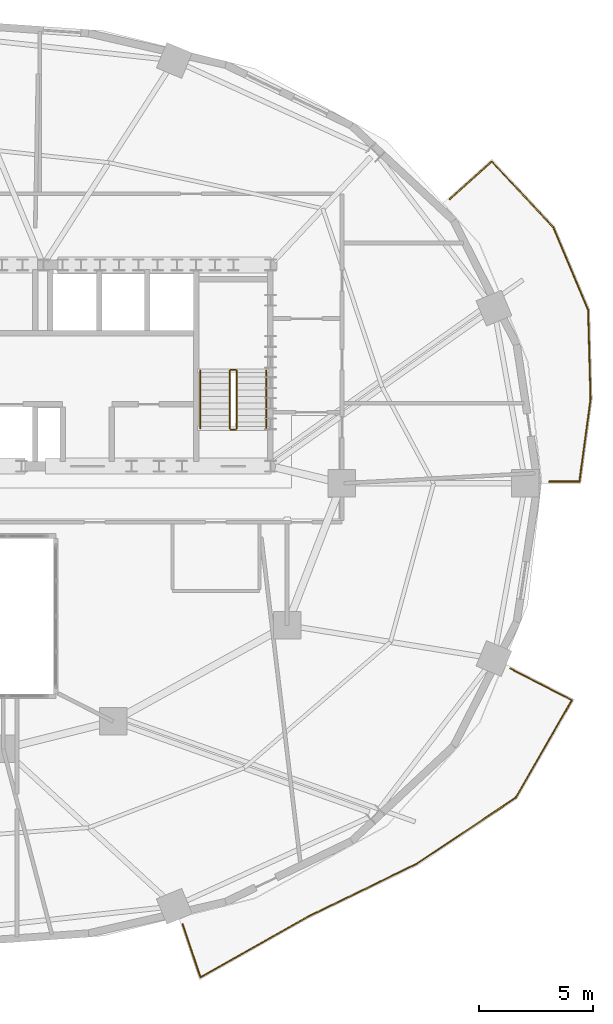
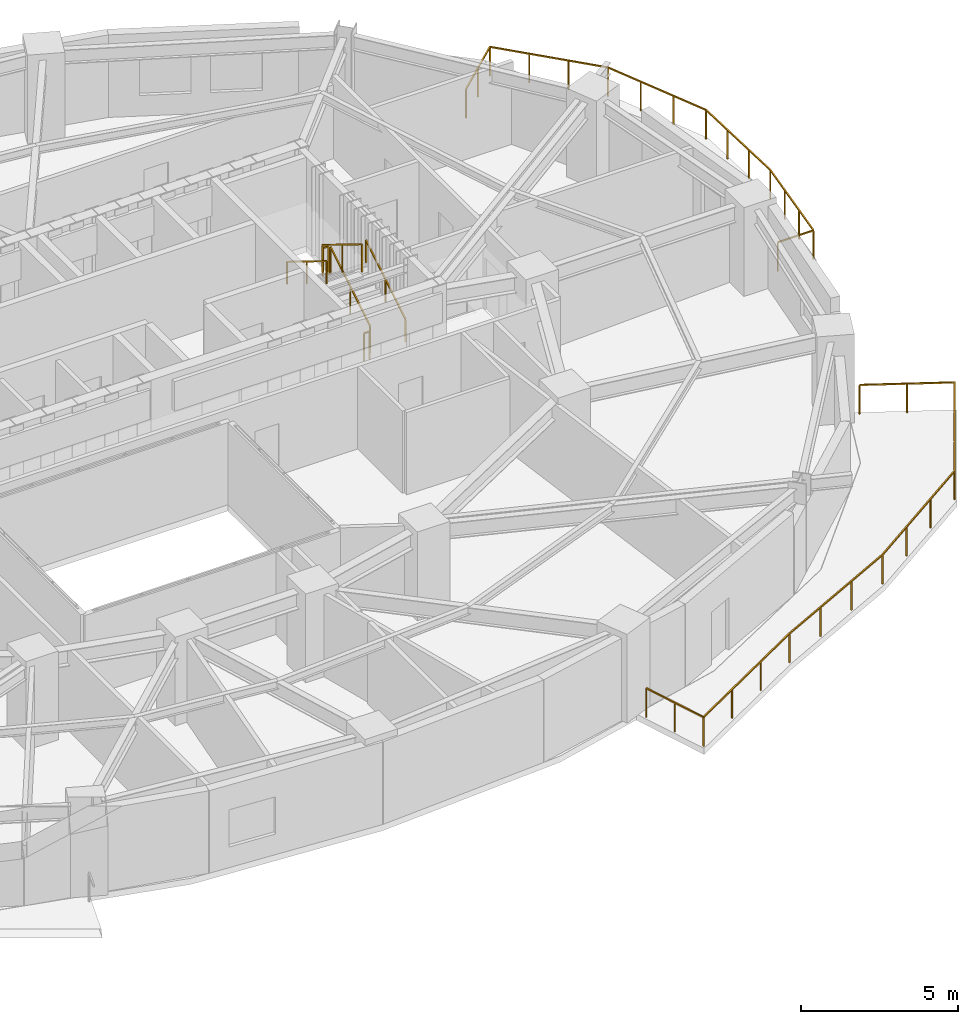
# One storey, part 11 of 11: 8 railings.
"""IFC4 building model written with IfcOpenShell, lengths in metres."""

from ifc_helpers import new_model, si_unit, direction, frame, origin, origin_2d, place, context, subcontext, project, spatial, rectangle, extrude, material, type_object, element, save


model = new_model("IFC4")

# Units and contexts
model_context = context("Model", 3, precision=1e-05, world=origin(), true_north=direction((0.0, 1.0)))
body_context = subcontext(model_context, "Body", "Model", "MODEL_VIEW")
ifc_project = project(units=[si_unit("LENGTHUNIT", "METRE"), si_unit("AREAUNIT", "SQUARE_METRE"), si_unit("VOLUMEUNIT", "CUBIC_METRE"), si_unit("PLANEANGLEUNIT", "RADIAN"), si_unit("MASSUNIT", "GRAM", prefix="KILO")], contexts=[model_context])

# Site, building, storey
site_placement = place(None, origin())
site = spatial("IfcSite", under=ifc_project, at=site_placement, CompositionType="ELEMENT")
building_placement = place(site_placement, origin())
building = spatial("IfcBuilding", under=site, at=building_placement, Name="Haldorwick Loom Tower", CompositionType="ELEMENT")
storey_placement = place(building_placement, frame((0.0, 0.0, 164.800048828125)))
storey = spatial("IfcBuildingStorey", under=building, at=storey_placement, Name="L44", CompositionType="ELEMENT", Elevation=164.800048828125)

# Railings
ifc_material_1 = material(Name="Galvanized Steel CSA G40.21 350W", Category="steel")
railing_type_1 = type_object("IfcRailingType", Name="ARC-RLG-BAL115", PredefinedType="BALUSTRADE", material=ifc_material_1)
railing_1_placement = place(storey_placement, frame((60.552734375, 17.91259765625, 0.0)))
element("IfcRailing", 1, at=railing_1_placement, inside=storey, type_object=railing_type_1, Name="L44 Outdoor Terrace Guardrail SLB-L44-BAL_SE-1", PredefinedType="BALUSTRADE", context=body_context, shape_type="SweptSolid", body=[
    extrude(rectangle(XDim=0.048095703125, YDim=0.048095703125, at=origin_2d()), frame((0.0, 0.0, 1.1259765625), z_axis=(0.88849659396, -0.45888321229, 0.0), x_axis=(0.45888321229, 0.88849659396, 0.0)), (0.0, 0.0, 1.0), 3.02783203125),
    extrude(rectangle(XDim=0.048095703125, YDim=0.048095703125, at=origin_2d()), frame((2.690185546875, -1.389404296875, 1.1259765625), z_axis=(-0.499653669952, -0.866225265219, 0.0), x_axis=(0.866225265219, -0.499653669952, 0.0)), (0.0, 0.0, 1.0), 4.91650390625),
    extrude(rectangle(XDim=0.048095703125, YDim=0.048095703125, at=origin_2d()), frame((0.233642578125, -5.648193359375, 1.1259765625), z_axis=(-0.831587514247, -0.555393739746, 0.0), x_axis=(0.555393739746, -0.831587514247, 0.0)), (0.0, 0.0, 1.0), 5.197509765625),
    extrude(rectangle(XDim=0.048095703125, YDim=0.048095703125, at=origin_2d()), frame((-4.088623046875, -8.534912109375, 1.1259765625), z_axis=(-0.899741530377, -0.436423164503, 0.0), x_axis=(0.436423164503, -0.899741530377, 0.0)), (0.0, 0.0, 1.0), 5.283203125),
    extrude(rectangle(XDim=0.048095703125, YDim=0.048095703125, at=origin_2d()), frame((-8.842041015625, -10.840576171875, 1.1259765625), z_axis=(-0.884918222382, -0.465746432833, 0.0), x_axis=(0.465746432833, -0.884918222382, 0.0)), (0.0, 0.0, 1.0), 0.005126953125),
    extrude(rectangle(XDim=0.048095703125, YDim=0.048095703125, at=origin_2d()), frame((-8.8466796875, -10.843017578125, 1.1259765625), z_axis=(-0.870535813637, -0.492105067212, 0.0), x_axis=(0.492105067212, -0.870535813637, 0.0)), (0.0, 0.0, 1.0), 5.38427734375),
    extrude(rectangle(XDim=0.048095703125, YDim=0.048095703125, at=origin_2d()), frame((-13.533935546875, -13.49267578125, 1.1259765625), z_axis=(-0.318031914644, 0.948080007841, 0.0), x_axis=(-0.948080007841, -0.318031914644, 0.0)), (0.0, 0.0, 1.0), 2.43505859375),
    extrude(rectangle(XDim=0.0419921875, YDim=0.0419921875, at=origin_2d()), origin(), (0.0, 0.0, 1.0), 1.101806640625),
    extrude(rectangle(XDim=0.0419921875, YDim=0.0419921875, at=origin_2d()), frame((1.34521484375, -0.69482421875, 0.0)), (0.0, 0.0, 1.0), 1.101806640625),
    extrude(rectangle(XDim=0.0419921875, YDim=0.0419921875, at=origin_2d()), frame((2.690185546875, -1.389404296875, 0.0)), (0.0, 0.0, 1.0), 1.101806640625),
    extrude(rectangle(XDim=0.0419921875, YDim=0.0419921875, at=origin_2d()), frame((1.871337890625, -2.80908203125, 0.0)), (0.0, 0.0, 1.0), 1.101806640625),
    extrude(rectangle(XDim=0.0419921875, YDim=0.0419921875, at=origin_2d()), frame((1.052490234375, -4.228515625, 0.0)), (0.0, 0.0, 1.0), 1.101806640625),
    extrude(rectangle(XDim=0.0419921875, YDim=0.0419921875, at=origin_2d()), frame((0.233642578125, -5.648193359375, 0.0)), (0.0, 0.0, 1.0), 1.101806640625),
    extrude(rectangle(XDim=0.0419921875, YDim=0.0419921875, at=origin_2d()), frame((-1.20703125, -6.6103515625, 0.0)), (0.0, 0.0, 1.0), 1.101806640625),
    extrude(rectangle(XDim=0.0419921875, YDim=0.0419921875, at=origin_2d()), frame((-2.64794921875, -7.57275390625, 0.0)), (0.0, 0.0, 1.0), 1.101806640625),
    extrude(rectangle(XDim=0.0419921875, YDim=0.0419921875, at=origin_2d()), frame((-4.088623046875, -8.534912109375, 0.0)), (0.0, 0.0, 1.0), 1.101806640625),
    extrude(rectangle(XDim=0.0419921875, YDim=0.0419921875, at=origin_2d()), frame((-5.673095703125, -9.303466796875, 0.0)), (0.0, 0.0, 1.0), 1.101806640625),
    extrude(rectangle(XDim=0.0419921875, YDim=0.0419921875, at=origin_2d()), frame((-7.257568359375, -10.072021484375, 0.0)), (0.0, 0.0, 1.0), 1.101806640625),
    extrude(rectangle(XDim=0.0419921875, YDim=0.0419921875, at=origin_2d()), frame((-8.842041015625, -10.840576171875, 0.0)), (0.0, 0.0, 1.0), 1.101806640625),
    extrude(rectangle(XDim=0.0419921875, YDim=0.0419921875, at=origin_2d()), frame((-10.4091796875, -11.726318359375, 0.0)), (0.0, 0.0, 1.0), 1.101806640625),
    extrude(rectangle(XDim=0.0419921875, YDim=0.0419921875, at=origin_2d()), frame((-11.971435546875, -12.609375, 0.0)), (0.0, 0.0, 1.0), 1.101806640625),
    extrude(rectangle(XDim=0.0419921875, YDim=0.0419921875, at=origin_2d()), frame((-13.533935546875, -13.49267578125, 0.0)), (0.0, 0.0, 1.0), 1.101806640625),
    extrude(rectangle(XDim=0.0419921875, YDim=0.0419921875, at=origin_2d()), frame((-13.921142578125, -12.33837890625, 0.0)), (0.0, 0.0, 1.0), 1.101806640625),
    extrude(rectangle(XDim=0.0419921875, YDim=0.0419921875, at=origin_2d()), frame((-14.308349609375, -11.18408203125, 0.0)), (0.0, 0.0, 1.0), 1.101806640625),
])
railing_2_placement = place(storey_placement, frame((57.912353515625, 38.41748046875, 0.0)))
element("IfcRailing", 2, at=railing_2_placement, inside=storey, type_object=railing_type_1, Name="L44 Outdoor Terrace Guardrail SLB-L44-BAL_ENE-1", PredefinedType="BALUSTRADE", context=body_context, shape_type="SweptSolid", body=[
    extrude(rectangle(XDim=0.048095703125, YDim=0.048095703125, at=origin_2d()), frame((0.0, 0.0, 1.1259765625), z_axis=(0.74343228508, 0.668811212152, 0.0), x_axis=(-0.668811212152, 0.74343228508, 0.0)), (0.0, 0.0, 1.0), 2.46044921875),
    extrude(rectangle(XDim=0.048095703125, YDim=0.048095703125, at=origin_2d()), frame((1.8291015625, 1.6455078125, 1.1259765625), z_axis=(0.683138961253, -0.73028840852, 0.0), x_axis=(0.73028840852, 0.683138961253, 0.0)), (0.0, 0.0, 1.0), 3.93017578125),
    extrude(rectangle(XDim=0.048095703125, YDim=0.048095703125, at=origin_2d()), frame((4.513916015625, -1.224609375, 1.1259765625), z_axis=(0.389591209707, -0.920987887716, 0.0), x_axis=(0.920987887716, 0.389591209707, 0.0)), (0.0, 0.0, 1.0), 3.91845703125),
    extrude(rectangle(XDim=0.048095703125, YDim=0.048095703125, at=origin_2d()), frame((6.04052734375, -4.83349609375, 1.1259765625), z_axis=(0.0273664576, -0.999625468362, 0.0), x_axis=(0.999625468362, 0.0273664576, 0.0)), (0.0, 0.0, 1.0), 3.907470703125),
    extrude(rectangle(XDim=0.048095703125, YDim=0.048095703125, at=origin_2d()), frame((6.1474609375, -8.739501953125, 1.1259765625), z_axis=(-0.133951807797, -0.990987847144, 0.0), x_axis=(0.990987847144, -0.133951807797, 0.0)), (0.0, 0.0, 1.0), 3.630615234375),
    extrude(rectangle(XDim=0.048095703125, YDim=0.048095703125, at=origin_2d()), frame((5.6611328125, -12.33740234375, 1.1259765625), z_axis=(-1.0, 0.0, 0.0), x_axis=(0.0, -1.0, 0.0)), (0.0, 0.0, 1.0), 1.313232421875),
    extrude(rectangle(XDim=0.0419921875, YDim=0.0419921875, at=origin_2d()), origin(), (0.0, 0.0, 1.0), 1.101806640625),
    extrude(rectangle(XDim=0.0419921875, YDim=0.0419921875, at=origin_2d()), frame((0.91455078125, 0.82275390625, 0.0)), (0.0, 0.0, 1.0), 1.101806640625),
    extrude(rectangle(XDim=0.0419921875, YDim=0.0419921875, at=origin_2d()), frame((1.8291015625, 1.6455078125, 0.0)), (0.0, 0.0, 1.0), 1.101806640625),
    extrude(rectangle(XDim=0.0419921875, YDim=0.0419921875, at=origin_2d()), frame((2.72412109375, 0.688720703125, 0.0)), (0.0, 0.0, 1.0), 1.101806640625),
    extrude(rectangle(XDim=0.0419921875, YDim=0.0419921875, at=origin_2d()), frame((3.618896484375, -0.267822265625, 0.0)), (0.0, 0.0, 1.0), 1.101806640625),
    extrude(rectangle(XDim=0.0419921875, YDim=0.0419921875, at=origin_2d()), frame((4.513916015625, -1.224609375, 0.0)), (0.0, 0.0, 1.0), 1.101806640625),
    extrude(rectangle(XDim=0.0419921875, YDim=0.0419921875, at=origin_2d()), frame((5.022705078125, -2.427490234375, 0.0)), (0.0, 0.0, 1.0), 1.101806640625),
    extrude(rectangle(XDim=0.0419921875, YDim=0.0419921875, at=origin_2d()), frame((5.53173828125, -3.630615234375, 0.0)), (0.0, 0.0, 1.0), 1.101806640625),
    extrude(rectangle(XDim=0.0419921875, YDim=0.0419921875, at=origin_2d()), frame((6.04052734375, -4.83349609375, 0.0)), (0.0, 0.0, 1.0), 1.101806640625),
    extrude(rectangle(XDim=0.0419921875, YDim=0.0419921875, at=origin_2d()), frame((6.076171875, -6.135498046875, 0.0)), (0.0, 0.0, 1.0), 1.101806640625),
    extrude(rectangle(XDim=0.0419921875, YDim=0.0419921875, at=origin_2d()), frame((6.11181640625, -7.4375, 0.0)), (0.0, 0.0, 1.0), 1.101806640625),
    extrude(rectangle(XDim=0.0419921875, YDim=0.0419921875, at=origin_2d()), frame((6.1474609375, -8.739501953125, 0.0)), (0.0, 0.0, 1.0), 1.101806640625),
    extrude(rectangle(XDim=0.0419921875, YDim=0.0419921875, at=origin_2d()), frame((5.9853515625, -9.938720703125, 0.0)), (0.0, 0.0, 1.0), 1.101806640625),
    extrude(rectangle(XDim=0.0419921875, YDim=0.0419921875, at=origin_2d()), frame((5.8232421875, -11.13818359375, 0.0)), (0.0, 0.0, 1.0), 1.101806640625),
    extrude(rectangle(XDim=0.0419921875, YDim=0.0419921875, at=origin_2d()), frame((5.6611328125, -12.33740234375, 0.0)), (0.0, 0.0, 1.0), 1.101806640625),
    extrude(rectangle(XDim=0.0419921875, YDim=0.0419921875, at=origin_2d()), frame((4.347900390625, -12.33740234375, 0.0)), (0.0, 0.0, 1.0), 1.101806640625),
])
ifc_material_2 = material(Name="Steel CSA G40.21 350W", Category="steel")
railing_type_2 = type_object("IfcRailingType", Name="ARC-RLG-GUARD112", PredefinedType="GUARDRAIL", material=ifc_material_2)
railing_3_placement = place(storey_placement, frame((48.60009765625, 28.39990234375, 0.17236328125)))
element("IfcRailing", 3, at=railing_3_placement, inside=storey, type_object=railing_type_2, Name="L44 ST-02 stair guard 1", PredefinedType="GUARDRAIL", context=body_context, shape_type="SweptSolid", body=[
    extrude(rectangle(XDim=0.048095703125, YDim=0.048095703125, at=origin_2d()), frame((0.0, 0.0, 1.076171875), z_axis=(0.0, 0.851400495292, 0.524516154772), x_axis=(-1.0, 0.0, 0.0)), (0.0, 0.0, 1.0), 2.9599609375),
    extrude(rectangle(XDim=0.0419921875, YDim=0.0419921875, at=origin_2d()), origin(), (0.0, 0.0, 1.0), 1.052001953125),
    extrude(rectangle(XDim=0.0419921875, YDim=0.0419921875, at=origin_2d()), frame((0.0, 1.260009765625, 0.7763671875)), (0.0, 0.0, 1.0), 1.052001953125),
    extrude(rectangle(XDim=0.0419921875, YDim=0.0419921875, at=origin_2d()), frame((0.0, 2.52001953125, 1.552490234375)), (0.0, 0.0, 1.0), 1.052001953125),
])
railing_4_placement = place(storey_placement, frame((48.550048828125, 30.969970703125, 1.724853515625)))
element("IfcRailing", 4, at=railing_4_placement, inside=storey, type_object=railing_type_2, Name="L44 ST-02 stair guard 2", PredefinedType="GUARDRAIL", context=body_context, shape_type="SweptSolid", body=[
    extrude(rectangle(XDim=0.048095703125, YDim=0.048095703125, at=origin_2d()), frame((0.0, 0.0, 1.076171875), z_axis=(-1.0, 0.0, 0.0), x_axis=(0.0, -1.0, 0.0)), (0.0, 0.0, 1.0), 0.199951171875),
    extrude(rectangle(XDim=0.0419921875, YDim=0.0419921875, at=origin_2d()), origin(), (0.0, 0.0, 1.0), 1.052001953125),
    extrude(rectangle(XDim=0.0419921875, YDim=0.0419921875, at=origin_2d()), frame((-0.199951171875, 0.0, 0.0)), (0.0, 0.0, 1.0), 1.052001953125),
])
railing_5_placement = place(storey_placement, frame((48.300048828125, 30.919921875, 1.8974609375)))
element("IfcRailing", 5, at=railing_5_placement, inside=storey, type_object=railing_type_2, Name="L44 ST-02 stair guard 3", PredefinedType="GUARDRAIL", context=body_context, shape_type="SweptSolid", body=[
    extrude(rectangle(XDim=0.048095703125, YDim=0.048095703125, at=origin_2d()), frame((0.0, 0.0, 1.076171875), z_axis=(0.0, -0.851400495292, 0.524516154772), x_axis=(1.0, 0.0, 0.0)), (0.0, 0.0, 1.0), 2.9599609375),
    extrude(rectangle(XDim=0.0419921875, YDim=0.0419921875, at=origin_2d()), origin(), (0.0, 0.0, 1.0), 1.052001953125),
    extrude(rectangle(XDim=0.0419921875, YDim=0.0419921875, at=origin_2d()), frame((0.0, -1.260009765625, 0.7763671875)), (0.0, 0.0, 1.0), 1.052001953125),
    extrude(rectangle(XDim=0.0419921875, YDim=0.0419921875, at=origin_2d()), frame((0.0, -2.52001953125, 1.552490234375)), (0.0, 0.0, 1.0), 1.052001953125),
])
railing_6_placement = place(storey_placement, frame((48.550048828125, 28.35009765625, 0.0)))
element("IfcRailing", 6, at=railing_6_placement, inside=storey, type_object=railing_type_2, Name="L44 ST-02 stair guard 4", PredefinedType="GUARDRAIL", context=body_context, shape_type="SweptSolid", body=[
    extrude(rectangle(XDim=0.048095703125, YDim=0.048095703125, at=origin_2d()), frame((0.0, 0.0, 1.076171875), z_axis=(-1.0, 0.0, 0.0), x_axis=(0.0, -1.0, 0.0)), (0.0, 0.0, 1.0), 0.199951171875),
    extrude(rectangle(XDim=0.0419921875, YDim=0.0419921875, at=origin_2d()), origin(), (0.0, 0.0, 1.0), 1.052001953125),
    extrude(rectangle(XDim=0.0419921875, YDim=0.0419921875, at=origin_2d()), frame((-0.199951171875, 0.0, 0.0)), (0.0, 0.0, 1.0), 1.052001953125),
])
railing_type_3 = type_object("IfcRailingType", Name="ARC-RLG-HAND092", PredefinedType="HANDRAIL", material=ifc_material_2)
railing_7_placement = place(storey_placement, frame((49.89990234375, 28.39990234375, 0.17236328125)))
element("IfcRailing", 7, at=railing_7_placement, inside=storey, type_object=railing_type_3, Name="L44 ST-02 stair handrail 1", PredefinedType="HANDRAIL", context=body_context, shape_type="SweptSolid", body=[
    extrude(rectangle(XDim=0.048095703125, YDim=0.048095703125, at=origin_2d()), frame((0.0, 0.0, 0.8759765625), z_axis=(0.0, 0.851400495292, 0.524516154772), x_axis=(-1.0, 0.0, 0.0)), (0.0, 0.0, 1.0), 2.9599609375),
    extrude(rectangle(XDim=0.0419921875, YDim=0.0419921875, at=origin_2d()), origin(), (0.0, 0.0, 1.0), 0.851806640625),
    extrude(rectangle(XDim=0.0419921875, YDim=0.0419921875, at=origin_2d()), frame((0.0, 1.260009765625, 0.7763671875)), (0.0, 0.0, 1.0), 0.851806640625),
    extrude(rectangle(XDim=0.0419921875, YDim=0.0419921875, at=origin_2d()), frame((0.0, 2.52001953125, 1.552490234375)), (0.0, 0.0, 1.0), 0.851806640625),
])
railing_8_placement = place(storey_placement, frame((47.0, 30.919921875, 1.8974609375)))
element("IfcRailing", 8, at=railing_8_placement, inside=storey, type_object=railing_type_3, Name="L44 ST-02 stair handrail 2", PredefinedType="HANDRAIL", context=body_context, shape_type="SweptSolid", body=[
    extrude(rectangle(XDim=0.048095703125, YDim=0.048095703125, at=origin_2d()), frame((0.0, 0.0, 0.8759765625), z_axis=(0.0, -0.851400495292, 0.524516154772), x_axis=(1.0, 0.0, 0.0)), (0.0, 0.0, 1.0), 2.9599609375),
    extrude(rectangle(XDim=0.0419921875, YDim=0.0419921875, at=origin_2d()), origin(), (0.0, 0.0, 1.0), 0.851806640625),
    extrude(rectangle(XDim=0.0419921875, YDim=0.0419921875, at=origin_2d()), frame((0.0, -1.260009765625, 0.7763671875)), (0.0, 0.0, 1.0), 0.851806640625),
    extrude(rectangle(XDim=0.0419921875, YDim=0.0419921875, at=origin_2d()), frame((0.0, -2.52001953125, 1.552490234375)), (0.0, 0.0, 1.0), 0.851806640625),
])

save(model, "model.ifc")
